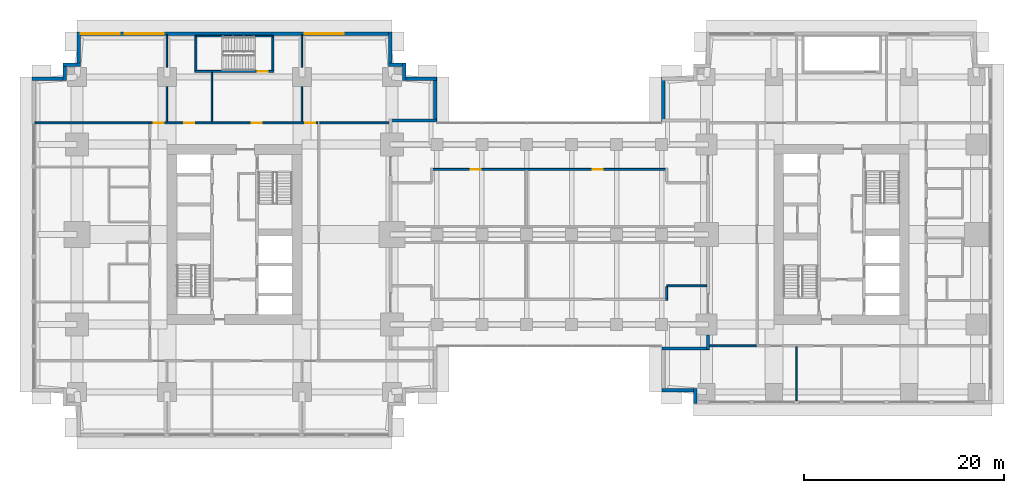
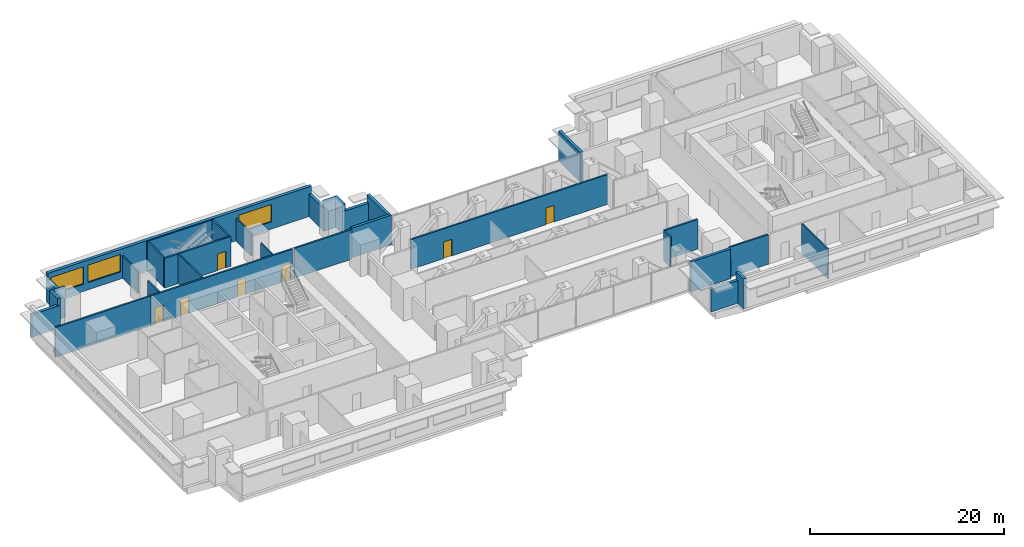
# One storey, part 9 of 14: 33 walls, 7 doors, 3 windows, 10 openings.
"""IFC4 building model written with IfcOpenShell, lengths in metres."""

import ifcopenshell
import ifcopenshell.guid

model = None  # the IFC model being written
_history = None  # IfcOwnerHistory: only IFC2X3 demands one
_inside = {}  # id of a spatial element -> (the spatial element, [elements in it])
_under = {}  # id of a project, library or spatial element -> (it, [spatial elements below it])
_declared = {}  # id of a project -> (the project, [libraries it declares])
_typed = {}  # id of a type object -> (the type object, [elements of that type])
_made_of = {}  # id of a material, layer set ... -> (it, [elements and type objects made of it])


def new_model(schema):
    """Start an empty IFC model of exactly this schema.

    Asked for "IFC4X3", IfcOpenShell would pick the latest addendum, in which some entities
    have other attributes; the version numbers below select the first issue.
    IFC2X3 requires an IfcOwnerHistory on every rooted entity: one is made here for all.
    """
    global model, _history
    if schema == "IFC4X3":
        model = ifcopenshell.file(schema_version=(4, 3, 0, 0))
    else:
        model = ifcopenshell.file(schema=schema)
    _inside.clear()
    _under.clear()
    _declared.clear()
    _typed.clear()
    _made_of.clear()
    _history = None
    if model.schema == "IFC2X3":
        org = make("IfcOrganization", Name="unknown")
        user = make(
            "IfcPersonAndOrganization",
            ThePerson=make("IfcPerson", FamilyName="unknown"),
            TheOrganization=org,
        )
        app = make(
            "IfcApplication",
            ApplicationDeveloper=org,
            Version="unknown",
            ApplicationFullName="unknown",
            ApplicationIdentifier="unknown",
        )
        _history = make(
            "IfcOwnerHistory",
            OwningUser=user,
            OwningApplication=app,
            ChangeAction="ADDED",
            CreationDate=0,
        )
    return model


def make(cls, **values):
    """One entity of the class cls with the attributes given. An attribute that is None is left unset."""
    return model.create_entity(
        cls, **{name: value for name, value in values.items() if value is not None}
    )


def rooted(cls, **values):
    """An entity with a GlobalId (a new one), such as an element, a storey or a relation."""
    return make(cls, GlobalId=ifcopenshell.guid.new(), OwnerHistory=_history, **values)


def si_unit(unit_type, name, prefix=None):
    """IfcSIUnit, for example si_unit("LENGTHUNIT", "METRE", prefix="MILLI")."""
    return make("IfcSIUnit", UnitType=unit_type, Prefix=prefix, Name=name)


def assignment(units):
    """IfcUnitAssignment: the units of a project."""
    return None if units is None else make("IfcUnitAssignment", Units=units)


def point(xyz):
    """IfcCartesianPoint."""
    return None if xyz is None else make("IfcCartesianPoint", Coordinates=xyz)


def direction(xyz):
    """IfcDirection."""
    return None if xyz is None else make("IfcDirection", DirectionRatios=xyz)


def frame(location, z_axis=None, x_axis=None):
    """IfcAxis2Placement3D, a coordinate frame: its origin and axes. An axis left out is left unset."""
    return make(
        "IfcAxis2Placement3D",
        Location=point(location),
        Axis=direction(z_axis),
        RefDirection=direction(x_axis),
    )


def frame_2d(location, x_axis=None):
    """IfcAxis2Placement2D, a coordinate frame in the plane: its origin and x axis."""
    return make(
        "IfcAxis2Placement2D", Location=point(location), RefDirection=direction(x_axis)
    )


def origin():
    """The frame at (0, 0, 0) with its axes left unset."""
    return frame((0.0, 0.0, 0.0))


def place(relative_to, where):
    """IfcLocalPlacement: puts the frame where relative to a parent placement (None: the world)."""
    return make(
        "IfcLocalPlacement", PlacementRelTo=relative_to, RelativePlacement=where
    )


def context(
    kind, dimensions, precision=None, world=None, true_north=None, identifier=None
):
    """IfcGeometricRepresentationContext, for example the 3D "Model" context."""
    return make(
        "IfcGeometricRepresentationContext",
        ContextIdentifier=identifier,
        ContextType=kind,
        CoordinateSpaceDimension=dimensions,
        Precision=precision,
        WorldCoordinateSystem=world,
        TrueNorth=true_north,
    )


def subcontext(parent, identifier, kind, view, scale=None):
    """IfcGeometricRepresentationSubContext, for example "Body" below "Model"."""
    return make(
        "IfcGeometricRepresentationSubContext",
        ContextIdentifier=identifier,
        ContextType=kind,
        ParentContext=parent,
        TargetScale=scale,
        TargetView=view,
    )


def project(units=None, contexts=None):
    """IfcProject with its units and contexts."""
    return rooted(
        "IfcProject",
        Name="project",
        RepresentationContexts=contexts,
        UnitsInContext=assignment(units),
    )


def spatial(cls, under=None, at=None, **own):
    """A site, building, storey or space (cls), placed at a placement, below another one or the project."""
    s = rooted(cls, ObjectPlacement=at, **own)
    if under is not None:
        _under.setdefault(under.id(), (under, []))[1].append(s)
    return s


def profile(cls, at=None, kind="AREA", **sizes):
    """A parametric profile (cls). Its sizes go by their IFC names, for example OverallWidth=200.0."""
    return make(cls, ProfileType=kind, Position=at, **sizes)


def rectangle(**sizes):
    """IfcRectangleProfileDef."""
    return profile("IfcRectangleProfileDef", **sizes)


def extrude(swept, where, along, depth):
    """IfcExtrudedAreaSolid: the profile swept, set in the frame where, extruded along a direction by depth."""
    return make(
        "IfcExtrudedAreaSolid",
        SweptArea=swept,
        Position=where,
        ExtrudedDirection=direction(along),
        Depth=depth,
    )


def shape(context_of_items, identifier, shape_type, items):
    """IfcShapeRepresentation: the items that make up one representation, for example the "Body"."""
    return make(
        "IfcShapeRepresentation",
        ContextOfItems=context_of_items,
        RepresentationIdentifier=identifier,
        RepresentationType=shape_type,
        Items=items,
    )


def material(Name=None, Category=None):
    """IfcMaterial."""
    return make("IfcMaterial", Name=Name, Category=Category)


def layer(
    of_material, thickness, ventilated=None, Name=None, Category=None, Priority=None
):
    """IfcMaterialLayer: one layer of a wall or slab, of a material (None: an air gap)."""
    return make(
        "IfcMaterialLayer",
        Material=of_material,
        LayerThickness=thickness,
        IsVentilated=ventilated,
        Name=Name,
        Category=Category,
        Priority=Priority,
    )


def layer_set(layers, Name=None):
    """IfcMaterialLayerSet."""
    return make("IfcMaterialLayerSet", MaterialLayers=layers, LayerSetName=Name)


def made_of(thing, what):
    """Note that an element or type object is made of a material, layer set ...; save() writes the relation."""
    if what is not None:
        _made_of.setdefault(what.id(), (what, []))[1].append(thing)
    return thing


def type_object(cls, material=None, **own):
    """A type object (cls), such as IfcWallType, which elements share."""
    return made_of(rooted(cls, **own), material)


def element(
    cls,
    number,
    at=None,
    inside=None,
    cuts=None,
    type_object=None,
    material=None,
    context=None,
    identifier="Body",
    shape_type=None,
    held_by="IfcProductDefinitionShape",
    body=None,
    shapes=None,
    **own,
):
    """One element of the class cls, such as IfcWall. Its Tag is "e" and its number.

    at: its placement. inside: the storey or other place that contains it. cuts: it is an
    opening in that element (IfcRelVoidsElement). A single representation is given by context,
    identifier, shape_type and body (its items); several are given by shapes. held_by: the class
    of the entity that holds the representations. save() writes the other relations.
    """
    e = rooted(cls, Tag="e%d" % number, ObjectPlacement=at, **own)
    if body is not None:
        shapes = [shape(context, identifier, shape_type, body)]
    if shapes is not None:
        e.Representation = make(held_by, Representations=shapes)
    if inside is not None:
        _inside.setdefault(inside.id(), (inside, []))[1].append(e)
    if cuts is not None:
        rooted(
            "IfcRelVoidsElement", RelatingBuildingElement=cuts, RelatedOpeningElement=e
        )
    if type_object is not None:
        _typed.setdefault(type_object.id(), (type_object, []))[1].append(e)
    return made_of(e, material)


def fill(opening, filler):
    """IfcRelFillsElement: the door or window that sits in an opening."""
    return rooted(
        "IfcRelFillsElement",
        RelatingOpeningElement=opening,
        RelatedBuildingElement=filler,
    )


def aggregate(whole, parts):
    """IfcRelAggregates: a whole, such as a stair, and the parts it consists of."""
    return rooted("IfcRelAggregates", RelatingObject=whole, RelatedObjects=parts)


def save(model, path):
    """Write the relations noted so far, then the file.

    IfcRelAggregates (storeys below a building ...), IfcRelContainedInSpatialStructure (elements
    in a storey), IfcRelDefinesByType, IfcRelAssociatesMaterial and IfcRelDeclares: one each for
    every whole, place, type object, material and project.
    """
    for whole, parts in _under.values():
        aggregate(whole, parts)
    for where, things in _inside.values():
        rooted(
            "IfcRelContainedInSpatialStructure",
            RelatedElements=things,
            RelatingStructure=where,
        )
    for kind, things in _typed.values():
        rooted("IfcRelDefinesByType", RelatedObjects=things, RelatingType=kind)
    for what, things in _made_of.values():
        rooted("IfcRelAssociatesMaterial", RelatedObjects=things, RelatingMaterial=what)
    for by, libraries in _declared.values():
        rooted("IfcRelDeclares", RelatingContext=by, RelatedDefinitions=libraries)
    model.write(path)


model = new_model("IFC4")

# Units and contexts
model_context = context("Model", 3, precision=1e-05, world=origin(), true_north=direction((0.0, 1.0)))
body_context = subcontext(model_context, "Body", "Model", "MODEL_VIEW")
ifc_project = project(units=[si_unit("LENGTHUNIT", "METRE"), si_unit("AREAUNIT", "SQUARE_METRE"), si_unit("VOLUMEUNIT", "CUBIC_METRE"), si_unit("PLANEANGLEUNIT", "RADIAN"), si_unit("MASSUNIT", "GRAM", prefix="KILO")], contexts=[model_context])

# Site, building, storey
site_placement = place(None, origin())
site = spatial("IfcSite", under=ifc_project, at=site_placement, CompositionType="ELEMENT")
building_placement = place(site_placement, origin())
building = spatial("IfcBuilding", under=site, at=building_placement, Name="Namib Vertical Campus", CompositionType="ELEMENT")
storey_placement = place(building_placement, frame((0.0, 0.0, 133.0)))
storey = spatial("IfcBuildingStorey", under=building, at=storey_placement, Name="L31", CompositionType="ELEMENT", Elevation=133.0)

# Wall, openings, doors
ifc_material_1 = material(Name="Concrete masonry", Category="masonry")
ifc_layer_1 = layer(ifc_material_1, 0.199951171875)
ifc_layer_set_1 = layer_set([ifc_layer_1], Name="Corridor wall 200")
wall_type_1 = type_object("IfcWallType", Name="Corridor wall 200", PredefinedType="SOLIDWALL", material=ifc_layer_set_1)
wall_1_placement = place(storey_placement, frame((28.60009765625, 31.39990234375, 0.0), z_axis=(0.0, 0.0, 1.0), x_axis=(-1.0, 0.0, 0.0)))
wall_1 = element("IfcWall", 1, at=wall_1_placement, inside=storey, type_object=wall_type_1, Name="Corridor wall A L31 CN", PredefinedType="SOLIDWALL", context=body_context, shape_type="SweptSolid", body=[
    extrude(rectangle(XDim=16.900146484375, YDim=0.199951171875, at=frame_2d((8.4501953125, 0.0))), origin(), (0.0, 0.0, 1.0), 3.75),
])
opening_1_placement = place(wall_1_placement, frame((15.425048828125, 0.0, 0.0)))
opening_1 = element("IfcOpeningElement", 2, at=opening_1_placement, cuts=wall_1, Name="Opening CD1", PredefinedType="OPENING", context=body_context, shape_type="SweptSolid", body=[
    extrude(rectangle(XDim=1.0, YDim=2.10009765625, at=frame_2d((0.5, 1.050048828125))), frame((0.0, 0.10986328125, 0.0), z_axis=(0.0, -1.0, 0.0), x_axis=(1.0, 0.0, 0.0)), (0.0, 0.0, 1.0), 0.219970703125),
])
opening_2_placement = place(wall_1_placement, frame((12.35009765625, 0.0, 0.0)))
opening_2 = element("IfcOpeningElement", 3, at=opening_2_placement, cuts=wall_1, Name="Opening CD1", PredefinedType="OPENING", context=body_context, shape_type="SweptSolid", body=[
    extrude(rectangle(XDim=1.0, YDim=2.10009765625, at=frame_2d((0.5, 1.050048828125))), frame((0.0, 0.10986328125, 0.0), z_axis=(0.0, -1.0, 0.0), x_axis=(1.0, 0.0, 0.0)), (0.0, 0.0, 1.0), 0.219970703125),
])
opening_3_placement = place(wall_1_placement, frame((5.60009765625, 0.0, 0.0)))
opening_3 = element("IfcOpeningElement", 4, at=opening_3_placement, cuts=wall_1, Name="Opening CD4", PredefinedType="OPENING", context=body_context, shape_type="SweptSolid", body=[
    extrude(rectangle(XDim=1.0, YDim=2.10009765625, at=frame_2d((0.5, 1.050048828125))), frame((0.0, 0.10986328125, 0.0), z_axis=(0.0, -1.0, 0.0), x_axis=(1.0, 0.0, 0.0)), (0.0, 0.0, 1.0), 0.219970703125),
])
opening_4_placement = place(wall_1_placement, frame((0.27490234375, 0.0, 0.0)))
opening_4 = element("IfcOpeningElement", 5, at=opening_4_placement, cuts=wall_1, Name="Opening CD1", PredefinedType="OPENING", context=body_context, shape_type="SweptSolid", body=[
    extrude(rectangle(XDim=1.0, YDim=2.10009765625, at=frame_2d((0.5, 1.050048828125))), frame((0.0, 0.10986328125, 0.0), z_axis=(0.0, -1.0, 0.0), x_axis=(1.0, 0.0, 0.0)), (0.0, 0.0, 1.0), 0.219970703125),
])
ifc_material_2 = material(Name="Timber fire door leaf", Category="wood")
door_type_1 = type_object("IfcDoorType", Name="Corridor door 1000x2100 20 min", OperationType="SINGLE_SWING_LEFT", PredefinedType="DOOR", material=ifc_material_2)
door_1_placement = place(opening_1_placement, frame((1.0, 0.0, 0.0), z_axis=(0.0, 0.0, 1.0), x_axis=(-1.0, 0.0, 0.0)))
door_1 = element("IfcDoor", 6, at=door_1_placement, inside=storey, type_object=door_type_1, Name="Door CD1 A31-06", OperationType="SINGLE_SWING_RIGHT", OverallHeight=2.10009765625, OverallWidth=1.0, PredefinedType="DOOR", context=body_context, shape_type="SweptSolid", body=[
    extrude(rectangle(XDim=1.0, YDim=2.10009765625, at=frame_2d((0.5, 1.050048828125))), frame((0.0, 0.02490234375, 0.0), z_axis=(0.0, -1.0, 0.0), x_axis=(1.0, 0.0, 0.0)), (0.0, 0.0, 1.0), 0.050048828125),
])
fill(opening_1, door_1)
door_2_placement = place(opening_2_placement, frame((1.0, 0.0, 0.0), z_axis=(0.0, 0.0, 1.0), x_axis=(-1.0, 0.0, 0.0)))
door_2 = element("IfcDoor", 7, at=door_2_placement, inside=storey, type_object=door_type_1, Name="Door CD1 A31-07", OperationType="SINGLE_SWING_RIGHT", OverallHeight=2.10009765625, OverallWidth=1.0, PredefinedType="DOOR", context=body_context, shape_type="SweptSolid", body=[
    extrude(rectangle(XDim=1.0, YDim=2.10009765625, at=frame_2d((0.5, 1.050048828125))), frame((0.0, 0.02490234375, 0.0), z_axis=(0.0, -1.0, 0.0), x_axis=(1.0, 0.0, 0.0)), (0.0, 0.0, 1.0), 0.050048828125),
])
fill(opening_2, door_2)
door_3_placement = place(opening_4_placement, frame((1.0, 0.0, 0.0), z_axis=(0.0, 0.0, 1.0), x_axis=(-1.0, 0.0, 0.0)))
door_3 = element("IfcDoor", 8, at=door_3_placement, inside=storey, type_object=door_type_1, Name="Door CD1 A31-09", OperationType="SINGLE_SWING_LEFT", OverallHeight=2.10009765625, OverallWidth=1.0, PredefinedType="DOOR", context=body_context, shape_type="SweptSolid", body=[
    extrude(rectangle(XDim=1.0, YDim=2.10009765625, at=frame_2d((0.5, 1.050048828125))), frame((0.0, 0.02490234375, 0.0), z_axis=(0.0, -1.0, 0.0), x_axis=(1.0, 0.0, 0.0)), (0.0, 0.0, 1.0), 0.050048828125),
])
fill(opening_4, door_3)
ifc_material_3 = material(Name="Timber fire door leaf", Category="wood")
door_type_2 = type_object("IfcDoorType", Name="Corridor door 1000x2100 20 min double-acting", OperationType="DOUBLE_SWING_LEFT", PredefinedType="DOOR", material=ifc_material_3)
door_4_placement = place(opening_3_placement, origin())
door_4 = element("IfcDoor", 9, at=door_4_placement, inside=storey, type_object=door_type_2, Name="Door CD4 A31-08", OperationType="DOUBLE_SWING_LEFT", OverallHeight=2.10009765625, OverallWidth=1.0, PredefinedType="DOOR", context=body_context, shape_type="SweptSolid", body=[
    extrude(rectangle(XDim=1.0, YDim=2.10009765625, at=frame_2d((0.5, 1.050048828125))), frame((0.0, 0.02490234375, 0.0), z_axis=(0.0, -1.0, 0.0), x_axis=(1.0, 0.0, 0.0)), (0.0, 0.0, 1.0), 0.050048828125),
])
fill(opening_3, door_4)

# Walls
wall_2_placement = place(storey_placement, frame((0.300048828125, 31.39990234375, 0.0), z_axis=(0.0, 0.0, 1.0), x_axis=(1.0, 0.0, 0.0)))
element("IfcWall", 10, at=wall_2_placement, inside=storey, type_object=wall_type_1, Name="Partition A L31 BNW", PredefinedType="SOLIDWALL", context=body_context, shape_type="SweptSolid", body=[
    extrude(rectangle(XDim=11.39990234375, YDim=0.199951171875, at=frame_2d((5.699951171875, 0.0))), origin(), (0.0, 0.0, 1.0), 3.75),
])
wall_3_placement = place(storey_placement, frame((28.800048828125, 31.39990234375, 0.0), z_axis=(0.0, 0.0, 1.0), x_axis=(1.0, 0.0, 0.0)))
element("IfcWall", 11, at=wall_3_placement, inside=storey, type_object=wall_type_1, Name="Partition A L31 BNE", PredefinedType="SOLIDWALL", context=body_context, shape_type="SweptSolid", body=[
    extrude(rectangle(XDim=6.89990234375, YDim=0.199951171875, at=frame_2d((3.449951171875, 0.0))), origin(), (0.0, 0.0, 1.0), 3.75),
])
wall_4_placement = place(storey_placement, frame((67.800048828125, 9.10009765625, 0.0), z_axis=(0.0, 0.0, 1.0), x_axis=(1.0, 0.0, 0.0)))
element("IfcWall", 12, at=wall_4_placement, inside=storey, type_object=wall_type_1, Name="Partition B L31 BSW", PredefinedType="SOLIDWALL", context=body_context, shape_type="SweptSolid", body=[
    extrude(rectangle(XDim=4.64990234375, YDim=0.199951171875, at=frame_2d((2.324951171875, 0.0))), origin(), (0.0, 0.0, 1.0), 3.75),
])
wall_5_placement = place(storey_placement, frame((63.5, 15.10009765625, 0.0), z_axis=(0.0, 0.0, 1.0), x_axis=(1.0, 0.0, 0.0)))
element("IfcWall", 13, at=wall_5_placement, inside=storey, type_object=wall_type_1, Name="Lobby wall L31 E", PredefinedType="SOLIDWALL", context=body_context, shape_type="SweptSolid", body=[
    extrude(rectangle(XDim=4.0, YDim=0.199951171875, at=frame_2d((2.0, 0.0))), origin(), (0.0, 0.0, 1.0), 3.75),
])
wall_6_placement = place(storey_placement, frame((63.5, 13.64990234375, 0.0), z_axis=(0.0, 0.0, 1.0), x_axis=(0.0, 1.0, 0.0)))
element("IfcWall", 14, at=wall_6_placement, inside=storey, type_object=wall_type_1, Name="Lobby side wall L31 E", PredefinedType="SOLIDWALL", context=body_context, shape_type="SweptSolid", body=[
    extrude(rectangle(XDim=1.35009765625, YDim=0.199951171875, at=frame_2d((0.675048828125, 0.0))), origin(), (0.0, 0.0, 1.0), 3.75),
])

# Wall, openings, doors
wall_7_placement = place(storey_placement, frame((40.0, 26.75, 0.0), z_axis=(0.0, 0.0, 1.0), x_axis=(1.0, 0.0, 0.0)))
wall_7 = element("IfcWall", 15, at=wall_7_placement, inside=storey, type_object=wall_type_1, Name="North corridor wall L31", PredefinedType="SOLIDWALL", context=body_context, shape_type="SweptSolid", body=[
    extrude(rectangle(XDim=23.5, YDim=0.199951171875, at=frame_2d((11.75, 0.0))), origin(), (0.0, 0.0, 1.0), 3.75),
])
opening_5_placement = place(wall_7_placement, frame((3.89990234375, 0.0, 0.0)))
opening_5 = element("IfcOpeningElement", 16, at=opening_5_placement, cuts=wall_7, Name="Opening CD1", PredefinedType="OPENING", context=body_context, shape_type="SweptSolid", body=[
    extrude(rectangle(XDim=1.0, YDim=2.10009765625, at=frame_2d((0.5, 1.050048828125))), frame((0.0, 0.10986328125, 0.0), z_axis=(0.0, -1.0, 0.0), x_axis=(1.0, 0.0, 0.0)), (0.0, 0.0, 1.0), 0.219970703125),
])
opening_6_placement = place(wall_7_placement, frame((16.10009765625, 0.0, 0.0)))
opening_6 = element("IfcOpeningElement", 17, at=opening_6_placement, cuts=wall_7, Name="Opening CD1", PredefinedType="OPENING", context=body_context, shape_type="SweptSolid", body=[
    extrude(rectangle(XDim=1.0, YDim=2.10009765625, at=frame_2d((0.5, 1.050048828125))), frame((0.0, 0.10986328125, 0.0), z_axis=(0.0, -1.0, 0.0), x_axis=(1.0, 0.0, 0.0)), (0.0, 0.0, 1.0), 0.219970703125),
])
door_5_placement = place(opening_5_placement, frame((1.0, 0.0, 0.0), z_axis=(0.0, 0.0, 1.0), x_axis=(-1.0, 0.0, 0.0)))
door_5 = element("IfcDoor", 18, at=door_5_placement, inside=storey, type_object=door_type_1, Name="Door CD1 BR31-05", OperationType="SINGLE_SWING_RIGHT", OverallHeight=2.10009765625, OverallWidth=1.0, PredefinedType="DOOR", context=body_context, shape_type="SweptSolid", body=[
    extrude(rectangle(XDim=1.0, YDim=2.10009765625, at=frame_2d((0.5, 1.050048828125))), frame((0.0, 0.02490234375, 0.0), z_axis=(0.0, -1.0, 0.0), x_axis=(1.0, 0.0, 0.0)), (0.0, 0.0, 1.0), 0.050048828125),
])
fill(opening_5, door_5)
door_6_placement = place(opening_6_placement, frame((1.0, 0.0, 0.0), z_axis=(0.0, 0.0, 1.0), x_axis=(-1.0, 0.0, 0.0)))
door_6 = element("IfcDoor", 19, at=door_6_placement, inside=storey, type_object=door_type_1, Name="Door CD1 BR31-06", OperationType="SINGLE_SWING_LEFT", OverallHeight=2.10009765625, OverallWidth=1.0, PredefinedType="DOOR", context=body_context, shape_type="SweptSolid", body=[
    extrude(rectangle(XDim=1.0, YDim=2.10009765625, at=frame_2d((0.5, 1.050048828125))), frame((0.0, 0.02490234375, 0.0), z_axis=(0.0, -1.0, 0.0), x_axis=(1.0, 0.0, 0.0)), (0.0, 0.0, 1.0), 0.050048828125),
])
fill(opening_6, door_6)

# Walls
ifc_material_4 = material(Name="Concrete C40/50", Category="concrete")
ifc_layer_2 = layer(ifc_material_4, 0.35009765625)
ifc_layer_set_2 = layer_set([ifc_layer_2], Name="Concrete C40/50")
wall_type_2 = type_object("IfcWallType", Name="External wall 350 bush-hammered concrete", PredefinedType="STANDARD", material=ifc_layer_set_2)
wall_8_placement = place(storey_placement, frame((40.324951171875, 31.52001953125, 0.0), z_axis=(0.0, 0.0, 1.0), x_axis=(0.0, 1.0, 0.0)))
element("IfcWall", 20, at=wall_8_placement, inside=storey, type_object=wall_type_2, Name="External wall L31 F11", PredefinedType="STANDARD", context=body_context, shape_type="SweptSolid", body=[
    extrude(rectangle(XDim=4.4599609375, YDim=0.35009765625, at=frame_2d((2.22998046875, 0.0))), origin(), (0.0, 0.0, 1.0), 3.75),
])
wall_9_placement = place(storey_placement, frame((40.47998046875, 35.824951171875, 0.0), z_axis=(0.0, 0.0, 1.0), x_axis=(-1.0, 0.0, 0.0)))
element("IfcWall", 21, at=wall_9_placement, inside=storey, type_object=wall_type_2, Name="External wall L31 F12", PredefinedType="STANDARD", context=body_context, shape_type="SweptSolid", body=[
    extrude(rectangle(XDim=3.409912109375, YDim=0.35009765625, at=frame_2d((1.705078125, 0.0))), origin(), (0.0, 0.0, 1.0), 2.85009765625),
])
for number, where, z_axis, x_axis, name in (
    (22, (37.22509765625, 35.669921875, 0.0), (0.0, 0.0, 1.0), (0.0, 1.0, 0.0), "External wall L31 F13"),
    (23, (37.3798828125, 37.22509765625, 0.0), (0.0, 0.0, 1.0), (-1.0, 0.0, 0.0), "External wall L31 F14"),
):
    element("IfcWall", number, at=place(storey_placement, frame(where, z_axis=z_axis, x_axis=x_axis)), inside=storey, type_object=wall_type_2, Name=name, PredefinedType="STANDARD", context=body_context, shape_type="SweptSolid", body=[
        extrude(rectangle(XDim=1.7099609375, YDim=0.35009765625, at=frame_2d((0.85498046875, 0.0))), origin(), (0.0, 0.0, 1.0), 3.75),
    ])
wall_10_placement = place(storey_placement, frame((35.824951171875, 37.070068359375, 0.0), z_axis=(0.0, 0.0, 1.0), x_axis=(0.0, 1.0, 0.0)))
element("IfcWall", 24, at=wall_10_placement, inside=storey, type_object=wall_type_2, Name="External wall L31 F15", PredefinedType="STANDARD", context=body_context, shape_type="SweptSolid", body=[
    extrude(rectangle(XDim=3.409912109375, YDim=0.35009765625, at=frame_2d((1.705078125, 0.0))), origin(), (0.0, 0.0, 1.0), 2.85009765625),
])

# Wall, openings, windows
wall_11_placement = place(storey_placement, frame((35.97998046875, 40.324951171875, 0.0), z_axis=(0.0, 0.0, 1.0), x_axis=(-1.0, 0.0, 0.0)))
wall_11 = element("IfcWall", 25, at=wall_11_placement, inside=storey, type_object=wall_type_2, Name="External wall L31 F16", PredefinedType="STANDARD", context=body_context, shape_type="SweptSolid", body=[
    extrude(rectangle(XDim=31.4599609375, YDim=0.35009765625, at=frame_2d((15.72998046875, 0.0))), origin(), (0.0, 0.0, 1.0), 3.75),
])
opening_7_placement = place(wall_11_placement, frame((27.2099609375, 0.0, 0.89990234375)))
opening_7 = element("IfcOpeningElement", 26, at=opening_7_placement, cuts=wall_11, Name="Opening W1", PredefinedType="OPENING", context=body_context, shape_type="SweptSolid", body=[
    extrude(rectangle(XDim=3.89990234375, YDim=2.199951171875, at=frame_2d((1.949951171875, 1.10009765625))), frame((0.0, 0.18505859375, 0.0), z_axis=(0.0, -1.0, 0.0), x_axis=(1.0, 0.0, 0.0)), (0.0, 0.0, 1.0), 0.3701171875),
])
opening_8_placement = place(wall_11_placement, frame((22.780029296875, 0.0, 0.89990234375)))
opening_8 = element("IfcOpeningElement", 27, at=opening_8_placement, cuts=wall_11, Name="Opening W1", PredefinedType="OPENING", context=body_context, shape_type="SweptSolid", body=[
    extrude(rectangle(XDim=3.89990234375, YDim=2.199951171875, at=frame_2d((1.949951171875, 1.10009765625))), frame((0.0, 0.18505859375, 0.0), z_axis=(0.0, -1.0, 0.0), x_axis=(1.0, 0.0, 0.0)), (0.0, 0.0, 1.0), 0.3701171875),
])
opening_9_placement = place(wall_11_placement, frame((4.780029296875, 0.0, 0.89990234375)))
opening_9 = element("IfcOpeningElement", 28, at=opening_9_placement, cuts=wall_11, Name="Opening W1", PredefinedType="OPENING", context=body_context, shape_type="SweptSolid", body=[
    extrude(rectangle(XDim=3.89990234375, YDim=2.199951171875, at=frame_2d((1.949951171875, 1.10009765625))), frame((0.0, 0.18505859375, 0.0), z_axis=(0.0, -1.0, 0.0), x_axis=(1.0, 0.0, 0.0)), (0.0, 0.0, 1.0), 0.3701171875),
])
ifc_material_5 = material(Name="Dark tinted glass in black aluminium frame", Category="aluminium")
window_type = type_object("IfcWindowType", Name="Ribbon window 3900x2200", PartitioningType="SINGLE_PANEL", PredefinedType="WINDOW", material=ifc_material_5)
window_1_placement = place(opening_7_placement, origin())
window_1 = element("IfcWindow", 29, at=window_1_placement, inside=storey, type_object=window_type, Name="Window W1 L31 F16-1", OverallHeight=2.199951171875, OverallWidth=3.89990234375, PartitioningType="SINGLE_PANEL", PredefinedType="WINDOW", context=body_context, shape_type="SweptSolid", body=[
    extrude(rectangle(XDim=3.89990234375, YDim=2.199951171875, at=frame_2d((1.949951171875, 1.10009765625))), frame((0.0, 0.030029296875, 0.0), z_axis=(0.0, -1.0, 0.0), x_axis=(1.0, 0.0, 0.0)), (0.0, 0.0, 1.0), 0.06005859375),
])
fill(opening_7, window_1)
window_2_placement = place(opening_8_placement, origin())
window_2 = element("IfcWindow", 30, at=window_2_placement, inside=storey, type_object=window_type, Name="Window W1 L31 F16-2", OverallHeight=2.199951171875, OverallWidth=3.89990234375, PartitioningType="SINGLE_PANEL", PredefinedType="WINDOW", context=body_context, shape_type="SweptSolid", body=[
    extrude(rectangle(XDim=3.89990234375, YDim=2.199951171875, at=frame_2d((1.949951171875, 1.10009765625))), frame((0.0, 0.030029296875, 0.0), z_axis=(0.0, -1.0, 0.0), x_axis=(1.0, 0.0, 0.0)), (0.0, 0.0, 1.0), 0.06005859375),
])
fill(opening_8, window_2)
window_3_placement = place(opening_9_placement, origin())
window_3 = element("IfcWindow", 31, at=window_3_placement, inside=storey, type_object=window_type, Name="Window W1 L31 F16-6", OverallHeight=2.199951171875, OverallWidth=3.89990234375, PartitioningType="SINGLE_PANEL", PredefinedType="WINDOW", context=body_context, shape_type="SweptSolid", body=[
    extrude(rectangle(XDim=3.89990234375, YDim=2.199951171875, at=frame_2d((1.949951171875, 1.10009765625))), frame((0.0, 0.030029296875, 0.0), z_axis=(0.0, -1.0, 0.0), x_axis=(1.0, 0.0, 0.0)), (0.0, 0.0, 1.0), 0.06005859375),
])
fill(opening_9, window_3)

# Walls
wall_12_placement = place(storey_placement, frame((4.675048828125, 40.47998046875, 0.0), z_axis=(0.0, 0.0, 1.0), x_axis=(0.0, -1.0, 0.0)))
element("IfcWall", 32, at=wall_12_placement, inside=storey, type_object=wall_type_2, Name="External wall L31 F17", PredefinedType="STANDARD", context=body_context, shape_type="SweptSolid", body=[
    extrude(rectangle(XDim=3.409912109375, YDim=0.35009765625, at=frame_2d((1.705078125, 0.0))), origin(), (0.0, 0.0, 1.0), 2.85009765625),
])
for number, where, z_axis, x_axis, name in (
    (33, (4.830078125, 37.22509765625, 0.0), (0.0, 0.0, 1.0), (-1.0, 0.0, 0.0), "External wall L31 F18"),
    (34, (3.27490234375, 37.3798828125, 0.0), (0.0, 0.0, 1.0), (0.0, -1.0, 0.0), "External wall L31 F19"),
):
    element("IfcWall", number, at=place(storey_placement, frame(where, z_axis=z_axis, x_axis=x_axis)), inside=storey, type_object=wall_type_2, Name=name, PredefinedType="STANDARD", context=body_context, shape_type="SweptSolid", body=[
        extrude(rectangle(XDim=1.7099609375, YDim=0.35009765625, at=frame_2d((0.85498046875, 0.0))), origin(), (0.0, 0.0, 1.0), 3.75),
    ])
wall_13_placement = place(storey_placement, frame((3.429931640625, 35.824951171875, 0.0), z_axis=(0.0, 0.0, 1.0), x_axis=(-1.0, 0.0, 0.0)))
element("IfcWall", 35, at=wall_13_placement, inside=storey, type_object=wall_type_2, Name="External wall L31 F20", PredefinedType="STANDARD", context=body_context, shape_type="SweptSolid", body=[
    extrude(rectangle(XDim=3.409912109375, YDim=0.35009765625, at=frame_2d((1.705078125, 0.0))), origin(), (0.0, 0.0, 1.0), 2.85009765625),
])
wall_14_placement = place(storey_placement, frame((63.02001953125, 4.675048828125, 0.0), z_axis=(0.0, 0.0, 1.0), x_axis=(1.0, 0.0, 0.0)))
element("IfcWall", 36, at=wall_14_placement, inside=storey, type_object=wall_type_2, Name="External wall L31 F02", PredefinedType="STANDARD", context=body_context, shape_type="SweptSolid", body=[
    extrude(rectangle(XDim=3.510009765625, YDim=0.35009765625, at=frame_2d((1.7548828125, 0.0))), origin(), (0.0, 0.0, 1.0), 2.85009765625),
])
wall_15_placement = place(storey_placement, frame((66.375, 4.830078125, 0.0), z_axis=(0.0, 0.0, 1.0), x_axis=(0.0, -1.0, 0.0)))
element("IfcWall", 37, at=wall_15_placement, inside=storey, type_object=wall_type_2, Name="External wall L31 F03", PredefinedType="STANDARD", context=body_context, shape_type="SweptSolid", body=[
    extrude(rectangle(XDim=1.510009765625, YDim=0.35009765625, at=frame_2d((0.7548828125, 0.0))), origin(), (0.0, 0.0, 1.0), 3.75),
])
wall_16_placement = place(storey_placement, frame((63.175048828125, 35.97998046875, 0.0), z_axis=(0.0, 0.0, 1.0), x_axis=(0.0, -1.0, 0.0)))
element("IfcWall", 38, at=wall_16_placement, inside=storey, type_object=wall_type_2, Name="External wall L31 F13", PredefinedType="STANDARD", context=body_context, shape_type="SweptSolid", body=[
    extrude(rectangle(XDim=4.4599609375, YDim=0.35009765625, at=frame_2d((2.22998046875, 0.0))), origin(), (0.0, 0.0, 1.0), 3.75),
])
ifc_material_6 = material(Name="Concrete masonry", Category="masonry")
ifc_layer_3 = layer(ifc_material_6, 0.300048828125)
ifc_layer_set_3 = layer_set([ifc_layer_3], Name="Fire wall 300")
wall_type_3 = type_object("IfcWallType", Name="Fire wall 300", PredefinedType="SOLIDWALL", material=ifc_layer_set_3)
wall_17_placement = place(storey_placement, frame((35.719970703125, 31.64990234375, 0.0), z_axis=(0.0, 0.0, 1.0), x_axis=(1.0, 0.0, 0.0)))
element("IfcWall", 39, at=wall_17_placement, inside=storey, type_object=wall_type_3, Name="External wall L31 F10", PredefinedType="SOLIDWALL", context=body_context, shape_type="SweptSolid", body=[
    extrude(rectangle(XDim=4.760009765625, YDim=0.300048828125, at=frame_2d((2.3798828125, 0.0))), origin(), (0.0, 0.0, 1.0), 3.75),
])
wall_18_placement = place(storey_placement, frame((67.64990234375, 10.199951171875, 0.0), z_axis=(0.0, 0.0, 1.0), x_axis=(0.0, -1.0, 0.0)))
element("IfcWall", 40, at=wall_18_placement, inside=storey, type_object=wall_type_3, Name="External wall L31 F15", PredefinedType="SOLIDWALL", context=body_context, shape_type="SweptSolid", body=[
    extrude(rectangle(XDim=1.47998046875, YDim=0.300048828125, at=frame_2d((0.739990234375, 0.0))), origin(), (0.0, 0.0, 1.0), 2.64990234375),
])
wall_19_placement = place(storey_placement, frame((67.780029296875, 8.85009765625, 0.0), z_axis=(0.0, 0.0, 1.0), x_axis=(-1.0, 0.0, 0.0)))
element("IfcWall", 41, at=wall_19_placement, inside=storey, type_object=wall_type_3, Name="External wall L31 F16", PredefinedType="SOLIDWALL", context=body_context, shape_type="SweptSolid", body=[
    extrude(rectangle(XDim=4.760009765625, YDim=0.300048828125, at=frame_2d((2.3798828125, 0.0))), origin(), (0.0, 0.0, 1.0), 3.75),
])
ifc_material_7 = material(Name="Gypsum board on steel studs", Category="steel")
ifc_layer_4 = layer(ifc_material_7, 0.14990234375)
ifc_layer_set_4 = layer_set([ifc_layer_4], Name="Gypsum board on steel studs")
wall_type_4 = type_object("IfcWallType", Name="Partition 150", PredefinedType="PARTITIONING", material=ifc_layer_set_4)
wall_20_placement = place(storey_placement, frame((13.5, 31.5, 0.0), z_axis=(0.0, 0.0, 1.0), x_axis=(0.0, 1.0, 0.0)))
element("IfcWall", 42, at=wall_20_placement, inside=storey, type_object=wall_type_4, Name="Partition A L31 PN1", PredefinedType="PARTITIONING", context=body_context, shape_type="SweptSolid", body=[
    extrude(rectangle(XDim=3.530029296875, YDim=0.14990234375, at=frame_2d((1.76513671875, 0.0))), origin(), (0.0, 0.0, 1.0), 2.85009765625),
])
wall_21_placement = place(storey_placement, frame((13.5, 36.969970703125, 0.0), z_axis=(0.0, 0.0, 1.0), x_axis=(0.0, 1.0, 0.0)))
element("IfcWall", 43, at=wall_21_placement, inside=storey, type_object=wall_type_4, Name="Partition A L31 PN1", PredefinedType="PARTITIONING", context=body_context, shape_type="SweptSolid", body=[
    extrude(rectangle(XDim=3.22998046875, YDim=0.14990234375, at=frame_2d((1.614990234375, 0.0))), origin(), (0.0, 0.0, 1.0), 2.85009765625),
])
wall_22_placement = place(storey_placement, frame((18.0, 31.5, 0.0), z_axis=(0.0, 0.0, 1.0), x_axis=(0.0, 1.0, 0.0)))
element("IfcWall", 44, at=wall_22_placement, inside=storey, type_object=wall_type_4, Name="Partition A L31 PN2", PredefinedType="PARTITIONING", context=body_context, shape_type="SweptSolid", body=[
    extrude(rectangle(XDim=4.949951171875, YDim=0.14990234375, at=frame_2d((2.47509765625, 0.0))), origin(), (0.0, 0.0, 1.0), 3.75),
])
wall_23_placement = place(storey_placement, frame((27.0, 31.5, 0.0), z_axis=(0.0, 0.0, 1.0), x_axis=(0.0, 1.0, 0.0)))
element("IfcWall", 45, at=wall_23_placement, inside=storey, type_object=wall_type_4, Name="Partition A L31 PN3", PredefinedType="PARTITIONING", context=body_context, shape_type="SweptSolid", body=[
    extrude(rectangle(XDim=3.530029296875, YDim=0.14990234375, at=frame_2d((1.76513671875, 0.0))), origin(), (0.0, 0.0, 1.0), 2.85009765625),
])
wall_24_placement = place(storey_placement, frame((27.0, 36.969970703125, 0.0), z_axis=(0.0, 0.0, 1.0), x_axis=(0.0, 1.0, 0.0)))
element("IfcWall", 46, at=wall_24_placement, inside=storey, type_object=wall_type_4, Name="Partition A L31 PN3", PredefinedType="PARTITIONING", context=body_context, shape_type="SweptSolid", body=[
    extrude(rectangle(XDim=3.22998046875, YDim=0.14990234375, at=frame_2d((1.614990234375, 0.0))), origin(), (0.0, 0.0, 1.0), 2.85009765625),
])
wall_25_placement = place(storey_placement, frame((76.5, 3.60009765625, 0.0), z_axis=(0.0, 0.0, 1.0), x_axis=(0.0, 1.0, 0.0)))
element("IfcWall", 47, at=wall_25_placement, inside=storey, type_object=wall_type_4, Name="Partition B L31 PS1", PredefinedType="PARTITIONING", context=body_context, shape_type="SweptSolid", body=[
    extrude(rectangle(XDim=5.39990234375, YDim=0.14990234375, at=frame_2d((2.699951171875, 0.0))), origin(), (0.0, 0.0, 1.0), 3.75),
])
ifc_material_8 = material(Name="Concrete C40/50", Category="concrete")
ifc_layer_5 = layer(ifc_material_8, 0.14990234375)
ifc_layer_set_5 = layer_set([ifc_layer_5], Name="Concrete C40/50")
wall_type_5 = type_object("IfcWallType", Name="Stair enclosure wall RC 150", PredefinedType="SOLIDWALL", material=ifc_layer_set_5)
wall_26_placement = place(storey_placement, frame((16.300048828125, 40.074951171875, 0.0), z_axis=(0.0, 0.0, 1.0), x_axis=(1.0, 0.0, 0.0)))
element("IfcWall", 48, at=wall_26_placement, inside=storey, type_object=wall_type_5, Name="Stair enclosure wall A-S3 L31 N", PredefinedType="SOLIDWALL", context=body_context, shape_type="SweptSolid", body=[
    extrude(rectangle(XDim=7.89990234375, YDim=0.14990234375, at=frame_2d((3.949951171875, 0.0))), origin(), (0.0, 0.0, 1.0), 3.75),
])

# Wall, opening, door
ifc_material_9 = material(Name="Concrete C40/50", Category="concrete")
ifc_layer_6 = layer(ifc_material_9, 0.199951171875)
ifc_layer_set_6 = layer_set([ifc_layer_6], Name="Concrete C40/50")
wall_type_6 = type_object("IfcWallType", Name="Stair enclosure wall RC 200", PredefinedType="SOLIDWALL", material=ifc_layer_set_6)
wall_27_placement = place(storey_placement, frame((16.300048828125, 36.550048828125, 0.0), z_axis=(0.0, 0.0, 1.0), x_axis=(1.0, 0.0, 0.0)))
wall_27 = element("IfcWall", 49, at=wall_27_placement, inside=storey, type_object=wall_type_6, Name="Stair enclosure wall A-S3 L31 S", PredefinedType="SOLIDWALL", context=body_context, shape_type="SweptSolid", body=[
    extrude(rectangle(XDim=7.89990234375, YDim=0.199951171875, at=frame_2d((3.949951171875, 0.0))), origin(), (0.0, 0.0, 1.0), 3.75),
])
opening_10_placement = place(wall_27_placement, frame((6.300048828125, 0.0, 0.0)))
opening_10 = element("IfcOpeningElement", 50, at=opening_10_placement, cuts=wall_27, Name="Opening FD1", PredefinedType="OPENING", context=body_context, shape_type="SweptSolid", body=[
    extrude(rectangle(XDim=1.0, YDim=2.10009765625, at=frame_2d((0.5, 1.050048828125))), frame((0.0, 0.10986328125, 0.0), z_axis=(0.0, -1.0, 0.0), x_axis=(1.0, 0.0, 0.0)), (0.0, 0.0, 1.0), 0.219970703125),
])
ifc_material_10 = material(Name="Steel fire door", Category="steel")
door_type_3 = type_object("IfcDoorType", Name="Fire door 1000x2100", OperationType="SINGLE_SWING_RIGHT", PredefinedType="DOOR", material=ifc_material_10)
door_7_placement = place(opening_10_placement, origin())
door_7 = element("IfcDoor", 51, at=door_7_placement, inside=storey, type_object=door_type_3, Name="Stair door FD1 A L31 S3", OperationType="SINGLE_SWING_RIGHT", OverallHeight=2.10009765625, OverallWidth=1.0, PredefinedType="DOOR", context=body_context, shape_type="SweptSolid", body=[
    extrude(rectangle(XDim=1.0, YDim=2.10009765625, at=frame_2d((0.5, 1.050048828125))), frame((0.0, 0.02490234375, 0.0), z_axis=(0.0, -1.0, 0.0), x_axis=(1.0, 0.0, 0.0)), (0.0, 0.0, 1.0), 0.050048828125),
])
fill(opening_10, door_7)

# Walls
for number, where, z_axis, x_axis, name in (
    (52, (16.39990234375, 36.64990234375, 0.0), (0.0, 0.0, 1.0), (0.0, 1.0, 0.0), "Stair enclosure wall A-S3 L31 W"),
    (53, (24.10009765625, 36.64990234375, 0.0), (0.0, 0.0, 1.0), (0.0, 1.0, 0.0), "Stair enclosure wall A-S3 L31 E"),
):
    element("IfcWall", number, at=place(storey_placement, frame(where, z_axis=z_axis, x_axis=x_axis)), inside=storey, type_object=wall_type_6, Name=name, PredefinedType="SOLIDWALL", context=body_context, shape_type="SweptSolid", body=[
        extrude(rectangle(XDim=3.35009765625, YDim=0.199951171875, at=frame_2d((1.675048828125, 0.0))), origin(), (0.0, 0.0, 1.0), 3.75),
    ])

save(model, "model.ifc")
